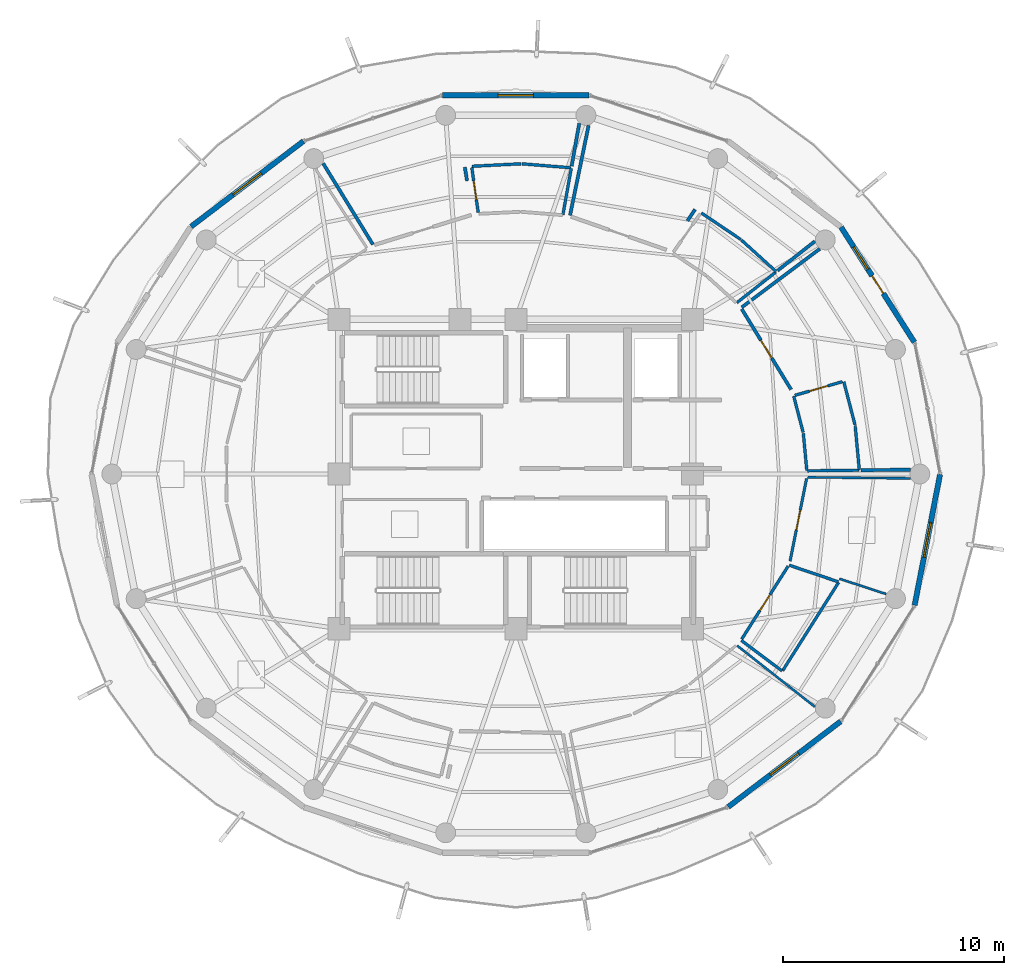
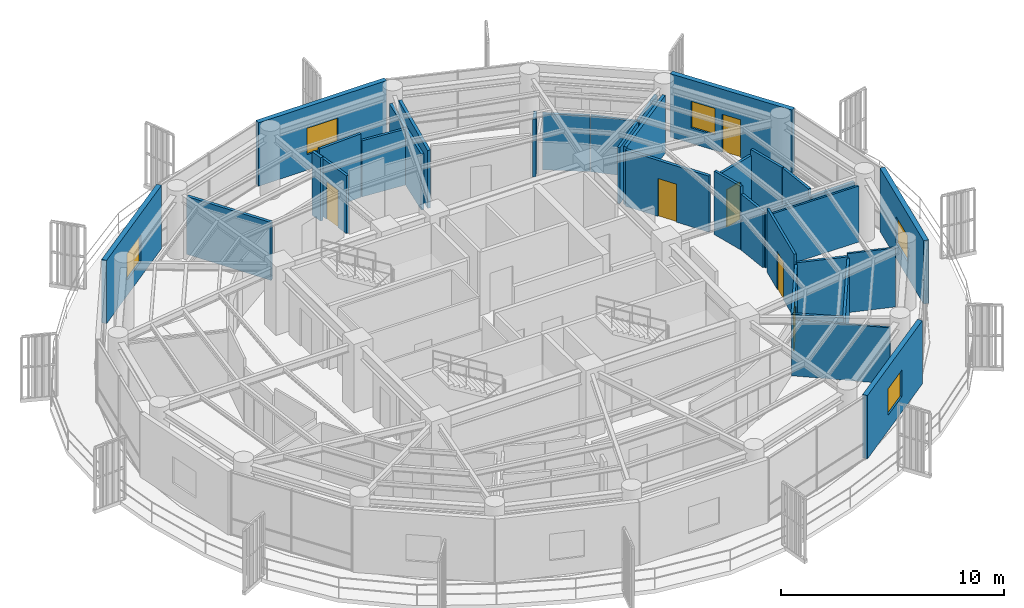
# One storey, part 18 of 23: 35 walls, 6 doors, 5 windows, 11 openings.
"""IFC4 building model written with IfcOpenShell, lengths in metres."""

from ifc_helpers import new_model, si_unit, direction, frame, frame_2d, origin, place, context, subcontext, project, spatial, rectangle, extrude, material, layer, layer_set, type_object, element, fill, save


model = new_model("IFC4")

# Units and contexts
model_context = context("Model", 3, precision=1e-05, world=origin(), true_north=direction((0.0, 1.0)))
body_context = subcontext(model_context, "Body", "Model", "MODEL_VIEW")
ifc_project = project(units=[si_unit("LENGTHUNIT", "METRE"), si_unit("AREAUNIT", "SQUARE_METRE"), si_unit("VOLUMEUNIT", "CUBIC_METRE"), si_unit("PLANEANGLEUNIT", "RADIAN"), si_unit("MASSUNIT", "GRAM", prefix="KILO")], contexts=[model_context])

# Site, building, storey
site_placement = place(None, origin())
site = spatial("IfcSite", under=ifc_project, at=site_placement, CompositionType="ELEMENT")
building_placement = place(site_placement, origin())
building = spatial("IfcBuilding", under=site, at=building_placement, Name="Kelanora Arch Commons", CompositionType="ELEMENT")
storey_placement = place(building_placement, frame((0.0, 0.0, 256.199951171875)))
storey = spatial("IfcBuildingStorey", under=building, at=storey_placement, Name="L65", CompositionType="ELEMENT", Elevation=256.199951171875)

# Wall, opening, door
ifc_material_1 = material(Name="Autoclaved aerated concrete blockwork with fire plaster", Category="masonry")
ifc_layer_1 = layer(ifc_material_1, 0.14990234375)
ifc_layer_set_1 = layer_set([ifc_layer_1], Name="Autoclaved aerated concrete blockwork with fire plaster")
wall_type_1 = type_object("IfcWallType", Name="W-COMP-150", PredefinedType="PARTITIONING", material=ifc_layer_set_1)
wall_1_placement = place(storey_placement, frame((86.45556640625, 61.82421875, 0.0), z_axis=(0.0, 0.0, 1.0), x_axis=(-0.522665227064, 0.852538011128, 0.0)))
wall_1 = element("IfcWall", 1, at=wall_1_placement, inside=storey, type_object=wall_type_1, Name="Co-Living Studio L65-01 Entry Partition", PredefinedType="PARTITIONING", context=body_context, shape_type="SweptSolid", body=[
    extrude(rectangle(XDim=4.272705078125, YDim=0.14990234375, at=frame_2d((2.13623046875, 0.0))), origin(), (0.0, 0.0, 1.0), 3.074951171875),
])
opening_1_placement = place(wall_1_placement, frame((1.660888671875, 0.0, 0.0)))
opening_1 = element("IfcOpeningElement", 2, at=opening_1_placement, cuts=wall_1, Name="Opening D-CLU1", PredefinedType="OPENING", context=body_context, shape_type="SweptSolid", body=[
    extrude(rectangle(XDim=0.949951171875, YDim=2.080078125, at=frame_2d((0.47509765625, 1.0400390625))), frame((0.0, 0.0849609375, 0.0), z_axis=(0.0, -1.0, 0.0), x_axis=(1.0, 0.0, 0.0)), (0.0, 0.0, 1.0), 0.169921875),
])
ifc_material_2 = material(Name="Solid-core acoustic timber cluster entry fire door", Category="wood")
door_type_1 = type_object("IfcDoorType", Name="D-CLU-95", OperationType="NOTDEFINED", PredefinedType="DOOR", material=ifc_material_2)
door_1_placement = place(opening_1_placement, origin())
door_1 = element("IfcDoor", 3, at=door_1_placement, inside=storey, type_object=door_type_1, Name="Co-Living Studio L65-01 Door", OperationType="SINGLE_SWING_LEFT", OverallHeight=2.080078125, OverallWidth=0.949951171875, PredefinedType="DOOR", context=body_context, shape_type="SweptSolid", body=[
    extrude(rectangle(XDim=0.949951171875, YDim=2.080078125, at=frame_2d((0.47509765625, 1.0400390625))), frame((0.0, 0.02490234375, 0.0), z_axis=(0.0, -1.0, 0.0), x_axis=(1.0, 0.0, 0.0)), (0.0, 0.0, 1.0), 0.050048828125),
])
fill(opening_1, door_1)

# Walls
wall_2_placement = place(storey_placement, frame((84.222900390625, 65.5419921875, 0.0), z_axis=(0.0, 0.0, 1.0), x_axis=(0.800384816546, 0.599486568191, 0.0)))
element("IfcWall", 4, at=wall_2_placement, inside=storey, type_object=wall_type_1, Name="Co-Living Studio L65-01 Enclosure Partition 2", PredefinedType="PARTITIONING", context=body_context, shape_type="SweptSolid", body=[
    extrude(rectangle(XDim=4.413818359375, YDim=0.14990234375, at=frame_2d((2.20703125, 0.0))), origin(), (0.0, 0.0, 1.0), 3.175048828125),
])
wall_3_placement = place(storey_placement, frame((91.847900390625, 58.197509765625, 0.0), z_axis=(0.0, 0.0, 1.0), x_axis=(-0.999936076373, -0.011306775263, 0.0)))
element("IfcWall", 5, at=wall_3_placement, inside=storey, type_object=wall_type_1, Name="Co-Living Studio L65-01 Enclosure Partition 5", PredefinedType="PARTITIONING", context=body_context, shape_type="SweptSolid", body=[
    extrude(rectangle(XDim=2.22412109375, YDim=0.14990234375, at=frame_2d((1.112060546875, 0.0))), origin(), (0.0, 0.0, 1.0), 3.074951171875),
])
wall_4_placement = place(storey_placement, frame((76.453125, 69.703125, 0.0), z_axis=(0.0, 0.0, 1.0), x_axis=(0.202308141573, 0.979321916355, 0.0)))
element("IfcWall", 6, at=wall_4_placement, inside=storey, type_object=wall_type_1, Name="Co-Living Studio L65-02 Enclosure Partition 2", PredefinedType="PARTITIONING", context=body_context, shape_type="SweptSolid", body=[
    extrude(rectangle(XDim=4.152587890625, YDim=0.14990234375, at=frame_2d((2.076171875, 0.0))), origin(), (0.0, 0.0, 1.0), 3.175048828125),
])
wall_5_placement = place(storey_placement, frame((87.5322265625, 68.53271484375, 0.0), z_axis=(0.0, 0.0, 1.0), x_axis=(-0.785832073147, -0.618439934685, 0.0)))
element("IfcWall", 7, at=wall_5_placement, inside=storey, type_object=wall_type_1, Name="Co-Living Studio L65-02 Enclosure Partition 5", PredefinedType="PARTITIONING", context=body_context, shape_type="SweptSolid", body=[
    extrude(rectangle(XDim=2.14404296875, YDim=0.14990234375, at=frame_2d((1.072021484375, 0.0))), origin(), (0.0, 0.0, 1.0), 3.074951171875),
])
wall_6_placement = place(storey_placement, frame((82.11279296875, 69.976806640625, 0.0), z_axis=(0.0, 0.0, 1.0), x_axis=(-0.555598996852, -0.831450392204, 0.0)))
element("IfcWall", 8, at=wall_6_placement, inside=storey, type_object=wall_type_1, Name="Co-Living Studio L65-02 Enclosure Partition 7", PredefinedType="PARTITIONING", context=body_context, shape_type="SweptSolid", body=[
    extrude(rectangle(XDim=0.626708984375, YDim=0.14990234375, at=frame_2d((0.3134765625, 0.0))), origin(), (0.0, 0.0, 1.0), 3.175048828125),
])
wall_7_placement = place(storey_placement, frame((67.5341796875, 68.385009765625, 0.0), z_axis=(0.0, 0.0, 1.0), x_axis=(-0.522784059663, 0.852465147066, 0.0)))
element("IfcWall", 9, at=wall_7_placement, inside=storey, type_object=wall_type_1, Name="Co-Living Studio L65-03 Enclosure Partition 2", PredefinedType="PARTITIONING", context=body_context, shape_type="SweptSolid", body=[
    extrude(rectangle(XDim=4.30615234375, YDim=0.14990234375, at=frame_2d((2.153076171875, 0.0))), origin(), (0.0, 0.0, 1.0), 3.175048828125),
])
wall_8_placement = place(storey_placement, frame((76.87109375, 73.864013671875, 0.0), z_axis=(0.0, 0.0, 1.0), x_axis=(-0.176100981623, -0.98437210661, 0.0)))
element("IfcWall", 10, at=wall_8_placement, inside=storey, type_object=wall_type_1, Name="Co-Living Studio L65-03 Enclosure Partition 5", PredefinedType="PARTITIONING", context=body_context, shape_type="SweptSolid", body=[
    extrude(rectangle(XDim=1.960205078125, YDim=0.14990234375, at=frame_2d((0.97998046875, 0.0))), origin(), (0.0, 0.0, 1.0), 3.074951171875),
])
wall_9_placement = place(storey_placement, frame((71.693603515625, 71.884521484375, 0.0), z_axis=(0.0, 0.0, 1.0), x_axis=(0.162139500997, -0.986767846161, 0.0)))
element("IfcWall", 11, at=wall_9_placement, inside=storey, type_object=wall_type_1, Name="Co-Living Studio L65-03 Enclosure Partition 7", PredefinedType="PARTITIONING", context=body_context, shape_type="SweptSolid", body=[
    extrude(rectangle(XDim=0.630859375, YDim=0.14990234375, at=frame_2d((0.3154296875, 0.0))), origin(), (0.0, 0.0, 1.0), 3.47998046875),
])

# Wall, openings, door, window
ifc_material_3 = material(Name="Precast concrete C40/50 upper-zone terracotta rainscreen", Category="masonry")
ifc_layer_2 = layer(ifc_material_3, 0.239990234375)
ifc_layer_set_2 = layer_set([ifc_layer_2], Name="Precast concrete C40/50 upper-zone terracotta rainscreen")
wall_type_2 = type_object("IfcWallType", Name="W-EXT-TC2", PredefinedType="SOLIDWALL", material=ifc_layer_set_2)
wall_10_placement = place(storey_placement, frame((92.033935546875, 63.9638671875, 0.0), z_axis=(0.0, 0.0, 1.0), x_axis=(-0.537271968456, 0.843409053728, 0.0)))
wall_10 = element("IfcWall", 12, at=wall_10_placement, inside=storey, type_object=wall_type_2, Name="Terracotta Exterior Wall L65-B01", PredefinedType="SOLIDWALL", context=body_context, shape_type="SweptSolid", body=[
    extrude(rectangle(XDim=6.175048828125, YDim=0.239990234375, at=frame_2d((3.08740234375, 0.0))), origin(), (0.0, 0.0, 1.0), 3.47509765625),
])
opening_2_placement = place(wall_10_placement, frame((2.613037109375, 0.0, 0.0)))
opening_2 = element("IfcOpeningElement", 13, at=opening_2_placement, cuts=wall_10, Name="Opening DB-01", PredefinedType="OPENING", context=body_context, shape_type="SweptSolid", body=[
    extrude(rectangle(XDim=0.949951171875, YDim=2.10009765625, at=frame_2d((0.47509765625, 1.050048828125))), frame((0.0, 0.1298828125, 0.0), z_axis=(0.0, -1.0, 0.0), x_axis=(1.0, 0.0, 0.0)), (0.0, 0.0, 1.0), 0.260009765625),
])
opening_3_placement = place(wall_10_placement, frame((3.9130859375, 0.0, 0.85009765625)))
opening_3 = element("IfcOpeningElement", 14, at=opening_3_placement, cuts=wall_10, Name="Opening WN-02", PredefinedType="OPENING", context=body_context, shape_type="SweptSolid", body=[
    extrude(rectangle(XDim=1.199951171875, YDim=1.449951171875, at=frame_2d((0.60009765625, 0.72509765625))), frame((0.0, 0.1298828125, 0.0), z_axis=(0.0, -1.0, 0.0), x_axis=(1.0, 0.0, 0.0)), (0.0, 0.0, 1.0), 0.260009765625),
])
ifc_material_4 = material(Name="Terracotta-aluminium thermally broken glazed balcony door", Category="masonry")
door_type_2 = type_object("IfcDoorType", Name="D-BAL-10", OperationType="NOTDEFINED", PredefinedType="DOOR", material=ifc_material_4)
door_2_placement = place(opening_2_placement, frame((0.949951171875, 0.0, 0.0), z_axis=(0.0, 0.0, 1.0), x_axis=(-1.0, 0.0, 0.0)))
door_2 = element("IfcDoor", 15, at=door_2_placement, inside=storey, type_object=door_type_2, Name="Wave Balcony Door L65-B01", OperationType="SINGLE_SWING_LEFT", OverallHeight=2.10009765625, OverallWidth=0.949951171875, PredefinedType="DOOR", context=body_context, shape_type="SweptSolid", body=[
    extrude(rectangle(XDim=0.949951171875, YDim=2.10009765625, at=frame_2d((0.47509765625, 1.050048828125))), frame((0.0, 0.02490234375, 0.0), z_axis=(0.0, -1.0, 0.0), x_axis=(1.0, 0.0, 0.0)), (0.0, 0.0, 1.0), 0.050048828125),
])
fill(opening_2, door_2)
ifc_material_5 = material(Name="Terracotta-anodised aluminium frame with operable awning sash", Category="masonry")
window_type_1 = type_object("IfcWindowType", Name="WIN-CL-12", PartitioningType="SINGLE_PANEL", PredefinedType="WINDOW", material=ifc_material_5)
window_1_placement = place(opening_3_placement, origin())
window_1 = element("IfcWindow", 16, at=window_1_placement, inside=storey, type_object=window_type_1, Name="Co-Living Operable Window L65-B01", OverallHeight=1.449951171875, OverallWidth=1.199951171875, PartitioningType="SINGLE_PANEL", PredefinedType="WINDOW", context=body_context, shape_type="SweptSolid", body=[
    extrude(rectangle(XDim=1.199951171875, YDim=1.449951171875, at=frame_2d((0.60009765625, 0.72509765625))), frame((0.0, 0.030029296875, 0.0), z_axis=(0.0, -1.0, 0.0), x_axis=(1.0, 0.0, 0.0)), (0.0, 0.0, 1.0), 0.06005859375),
])
fill(opening_3, window_1)

# Wall, opening, window
wall_11_placement = place(storey_placement, frame((77.319091796875, 75.1357421875, 0.0), z_axis=(0.0, 0.0, 1.0), x_axis=(-1.0, 0.0, 0.0)))
wall_11 = element("IfcWall", 17, at=wall_11_placement, inside=storey, type_object=wall_type_2, Name="Terracotta Exterior Wall L65-B04", PredefinedType="SOLIDWALL", context=body_context, shape_type="SweptSolid", body=[
    extrude(rectangle(XDim=6.63818359375, YDim=0.239990234375, at=frame_2d((3.319091796875, 0.0))), origin(), (0.0, 0.0, 1.0), 3.47509765625),
])
opening_4_placement = place(wall_11_placement, frame((2.51904296875, 0.0, 0.85009765625)))
opening_4 = element("IfcOpeningElement", 18, at=opening_4_placement, cuts=wall_11, Name="Opening WN-01", PredefinedType="OPENING", context=body_context, shape_type="SweptSolid", body=[
    extrude(rectangle(XDim=1.60009765625, YDim=1.449951171875, at=frame_2d((0.800048828125, 0.72509765625))), frame((0.0, 0.1298828125, 0.0), z_axis=(0.0, -1.0, 0.0), x_axis=(1.0, 0.0, 0.0)), (0.0, 0.0, 1.0), 0.260009765625),
])
ifc_material_6 = material(Name="Terracotta-anodised aluminium frame with operable low-E glazing", Category="masonry")
window_type_2 = type_object("IfcWindowType", Name="WIN-CL-18", PartitioningType="DOUBLE_PANEL_VERTICAL", PredefinedType="WINDOW", material=ifc_material_6)
window_2_placement = place(opening_4_placement, origin())
window_2 = element("IfcWindow", 19, at=window_2_placement, inside=storey, type_object=window_type_2, Name="Co-Living Operable Window L65-B04", OverallHeight=1.449951171875, OverallWidth=1.60009765625, PartitioningType="SINGLE_PANEL", PredefinedType="WINDOW", context=body_context, shape_type="SweptSolid", body=[
    extrude(rectangle(XDim=1.60009765625, YDim=1.449951171875, at=frame_2d((0.800048828125, 0.72509765625))), frame((0.0, 0.030029296875, 0.0), z_axis=(0.0, -1.0, 0.0), x_axis=(1.0, 0.0, 0.0)), (0.0, 0.0, 1.0), 0.06005859375),
])
fill(opening_4, window_2)

wall_12_placement = place(storey_placement, frame((64.38818359375, 73.059814453125, 0.0), z_axis=(0.0, 0.0, 1.0), x_axis=(-0.796010444211, -0.605282886514, 0.0)))
wall_12 = element("IfcWall", 20, at=wall_12_placement, inside=storey, type_object=wall_type_2, Name="Terracotta Exterior Wall L65-B06", PredefinedType="SOLIDWALL", context=body_context, shape_type="SweptSolid", body=[
    extrude(rectangle(XDim=6.387451171875, YDim=0.239990234375, at=frame_2d((3.19384765625, 0.0))), origin(), (0.0, 0.0, 1.0), 3.47509765625),
])
opening_5_placement = place(wall_12_placement, frame((2.39404296875, 0.0, 0.85009765625)))
opening_5 = element("IfcOpeningElement", 21, at=opening_5_placement, cuts=wall_12, Name="Opening WN-01", PredefinedType="OPENING", context=body_context, shape_type="SweptSolid", body=[
    extrude(rectangle(XDim=1.60009765625, YDim=1.449951171875, at=frame_2d((0.800048828125, 0.72509765625))), frame((0.0, 0.1298828125, 0.0), z_axis=(0.0, -1.0, 0.0), x_axis=(1.0, 0.0, 0.0)), (0.0, 0.0, 1.0), 0.260009765625),
])
window_3_placement = place(opening_5_placement, origin())
window_3 = element("IfcWindow", 22, at=window_3_placement, inside=storey, type_object=window_type_2, Name="Co-Living Operable Window L65-B06", OverallHeight=1.449951171875, OverallWidth=1.60009765625, PartitioningType="SINGLE_PANEL", PredefinedType="WINDOW", context=body_context, shape_type="SweptSolid", body=[
    extrude(rectangle(XDim=1.60009765625, YDim=1.449951171875, at=frame_2d((0.800048828125, 0.72509765625))), frame((0.0, 0.030029296875, 0.0), z_axis=(0.0, -1.0, 0.0), x_axis=(1.0, 0.0, 0.0)), (0.0, 0.0, 1.0), 0.06005859375),
])
fill(opening_5, window_3)

wall_13_placement = place(storey_placement, frame((83.61181640625, 42.940185546875, 0.0), z_axis=(0.0, 0.0, 1.0), x_axis=(0.796010444211, 0.605282886514, 0.0)))
wall_13 = element("IfcWall", 23, at=wall_13_placement, inside=storey, type_object=wall_type_2, Name="Terracotta Exterior Wall L65-B15", PredefinedType="SOLIDWALL", context=body_context, shape_type="SweptSolid", body=[
    extrude(rectangle(XDim=6.387451171875, YDim=0.239990234375, at=frame_2d((3.19384765625, 0.0))), origin(), (0.0, 0.0, 1.0), 3.47509765625),
])
opening_6_placement = place(wall_13_placement, frame((2.39404296875, 0.0, 0.85009765625)))
opening_6 = element("IfcOpeningElement", 24, at=opening_6_placement, cuts=wall_13, Name="Opening WN-01", PredefinedType="OPENING", context=body_context, shape_type="SweptSolid", body=[
    extrude(rectangle(XDim=1.60009765625, YDim=1.449951171875, at=frame_2d((0.800048828125, 0.72509765625))), frame((0.0, 0.1298828125, 0.0), z_axis=(0.0, -1.0, 0.0), x_axis=(1.0, 0.0, 0.0)), (0.0, 0.0, 1.0), 0.260009765625),
])
window_4_placement = place(opening_6_placement, origin())
window_4 = element("IfcWindow", 25, at=window_4_placement, inside=storey, type_object=window_type_2, Name="Co-Living Operable Window L65-B15", OverallHeight=1.449951171875, OverallWidth=1.60009765625, PartitioningType="SINGLE_PANEL", PredefinedType="WINDOW", context=body_context, shape_type="SweptSolid", body=[
    extrude(rectangle(XDim=1.60009765625, YDim=1.449951171875, at=frame_2d((0.800048828125, 0.72509765625))), frame((0.0, 0.030029296875, 0.0), z_axis=(0.0, -1.0, 0.0), x_axis=(1.0, 0.0, 0.0)), (0.0, 0.0, 1.0), 0.06005859375),
])
fill(opening_6, window_4)

wall_14_placement = place(storey_placement, frame((92.044921875, 52.0634765625, 0.0), z_axis=(0.0, 0.0, 1.0), x_axis=(0.190969309115, 0.981596008028, 0.0)))
wall_14 = element("IfcWall", 26, at=wall_14_placement, inside=storey, type_object=wall_type_2, Name="Terracotta Exterior Wall L65-B17", PredefinedType="SOLIDWALL", context=body_context, shape_type="SweptSolid", body=[
    extrude(rectangle(XDim=6.032958984375, YDim=0.239990234375, at=frame_2d((3.0166015625, 0.0))), origin(), (0.0, 0.0, 1.0), 3.47509765625),
])
opening_7_placement = place(wall_14_placement, frame((2.216064453125, 0.0, 0.85009765625)))
opening_7 = element("IfcOpeningElement", 27, at=opening_7_placement, cuts=wall_14, Name="Opening WN-01", PredefinedType="OPENING", context=body_context, shape_type="SweptSolid", body=[
    extrude(rectangle(XDim=1.60009765625, YDim=1.449951171875, at=frame_2d((0.800048828125, 0.72509765625))), frame((0.0, 0.1298828125, 0.0), z_axis=(0.0, -1.0, 0.0), x_axis=(1.0, 0.0, 0.0)), (0.0, 0.0, 1.0), 0.260009765625),
])
window_5_placement = place(opening_7_placement, origin())
window_5 = element("IfcWindow", 28, at=window_5_placement, inside=storey, type_object=window_type_2, Name="Co-Living Operable Window L65-B17", OverallHeight=1.449951171875, OverallWidth=1.60009765625, PartitioningType="SINGLE_PANEL", PredefinedType="WINDOW", context=body_context, shape_type="SweptSolid", body=[
    extrude(rectangle(XDim=1.60009765625, YDim=1.449951171875, at=frame_2d((0.800048828125, 0.72509765625))), frame((0.0, 0.030029296875, 0.0), z_axis=(0.0, -1.0, 0.0), x_axis=(1.0, 0.0, 0.0)), (0.0, 0.0, 1.0), 0.06005859375),
])
fill(opening_7, window_5)

# Walls
ifc_material_7 = material(Name="Lightweight fire-rated acoustic stud partition")
ifc_layer_3 = layer(ifc_material_7, 0.10009765625)
ifc_layer_set_3 = layer_set([ifc_layer_3], Name="Lightweight fire-rated acoustic stud partition")
wall_type_3 = type_object("IfcWallType", Name="W-PART-100", PredefinedType="PARTITIONING", material=ifc_layer_set_3)
wall_15_placement = place(storey_placement, frame((84.016357421875, 50.2353515625, 0.0), z_axis=(0.0, 0.0, 1.0), x_axis=(0.785736749878, -0.618561039745, 0.0)))
element("IfcWall", 29, at=wall_15_placement, inside=storey, type_object=wall_type_3, Name="Communal Dining and Social Hall L65-08 Enclosure Partition 4", PredefinedType="PARTITIONING", context=body_context, shape_type="SweptSolid", body=[
    extrude(rectangle(XDim=4.474609375, YDim=0.10009765625, at=frame_2d((2.2373046875, 0.0))), origin(), (0.0, 0.0, 1.0), 3.074951171875),
])
wall_16_placement = place(storey_placement, frame((87.208984375, 57.8544921875, 0.0), z_axis=(0.0, 0.0, 1.0), x_axis=(0.999937174585, -0.01120923205, 0.0)))
element("IfcWall", 30, at=wall_16_placement, inside=storey, type_object=wall_type_3, Name="Tutorial Study Alcove L65-09 Enclosure Partition 2", PredefinedType="PARTITIONING", context=body_context, shape_type="SweptSolid", body=[
    extrude(rectangle(XDim=4.63916015625, YDim=0.10009765625, at=frame_2d((2.319580078125, 0.0))), origin(), (0.0, 0.0, 1.0), 3.074951171875),
])
wall_17_placement = place(storey_placement, frame((90.751220703125, 52.572998046875, 0.0), z_axis=(0.0, 0.0, 1.0), x_axis=(-0.950301719956, 0.311330437073, 0.0)))
element("IfcWall", 31, at=wall_17_placement, inside=storey, type_object=wall_type_3, Name="Tutorial Study Alcove L65-09 Enclosure Partition 4", PredefinedType="PARTITIONING", context=body_context, shape_type="SweptSolid", body=[
    extrude(rectangle(XDim=2.21533203125, YDim=0.10009765625, at=frame_2d((1.107666015625, 0.0))), origin(), (0.0, 0.0, 1.0), 3.235107421875),
])

# Wall, opening, door
ifc_material_8 = material(Name="Acoustic twin-stud fire-rated gypsum partition")
ifc_layer_4 = layer(ifc_material_8, 0.1201171875)
ifc_layer_set_4 = layer_set([ifc_layer_4], Name="Acoustic twin-stud fire-rated gypsum partition")
wall_type_4 = type_object("IfcWallType", Name="W-PART-120", PredefinedType="PARTITIONING", material=ifc_layer_set_4)
wall_18_placement = place(storey_placement, frame((86.41064453125, 54.057861328125, 0.0), z_axis=(0.0, 0.0, 1.0), x_axis=(0.195845174173, 0.980634828952, 0.0)))
wall_18 = element("IfcWall", 32, at=wall_18_placement, inside=storey, type_object=wall_type_4, Name="Tutorial Study Alcove L65-09 Entry Partition", PredefinedType="PARTITIONING", context=body_context, shape_type="SweptSolid", body=[
    extrude(rectangle(XDim=3.81201171875, YDim=0.1201171875, at=frame_2d((1.906005859375, 0.0))), origin(), (0.0, 0.0, 1.0), 3.47998046875),
])
opening_8_placement = place(wall_18_placement, frame((1.4560546875, 0.0, 0.0)))
opening_8 = element("IfcOpeningElement", 33, at=opening_8_placement, cuts=wall_18, Name="Opening D-RM1", PredefinedType="OPENING", context=body_context, shape_type="SweptSolid", body=[
    extrude(rectangle(XDim=0.89990234375, YDim=2.080078125, at=frame_2d((0.449951171875, 1.0400390625))), frame((0.0, 0.070068359375, 0.0), z_axis=(0.0, -1.0, 0.0), x_axis=(1.0, 0.0, 0.0)), (0.0, 0.0, 1.0), 0.14013671875),
])
ifc_material_9 = material(Name="Acoustic fire-rated timber study and lounge door", Category="wood")
door_type_3 = type_object("IfcDoorType", Name="D-ROOM-90", OperationType="NOTDEFINED", PredefinedType="DOOR", material=ifc_material_9)
door_3_placement = place(opening_8_placement, origin())
door_3 = element("IfcDoor", 34, at=door_3_placement, inside=storey, type_object=door_type_3, Name="Tutorial Study Alcove L65-09 Door", OperationType="SINGLE_SWING_LEFT", OverallHeight=2.080078125, OverallWidth=0.89990234375, PredefinedType="DOOR", context=body_context, shape_type="SweptSolid", body=[
    extrude(rectangle(XDim=0.89990234375, YDim=2.080078125, at=frame_2d((0.449951171875, 1.0400390625))), frame((0.0, 0.02490234375, 0.0), z_axis=(0.0, -1.0, 0.0), x_axis=(1.0, 0.0, 0.0)), (0.0, 0.0, 1.0), 0.050048828125),
])
fill(opening_8, door_3)

ifc_material_10 = material(Name="Moisture-resistant fire-rated cement-board plumbing wall")
ifc_layer_5 = layer(ifc_material_10, 0.1298828125)
ifc_layer_set_5 = layer_set([ifc_layer_5], Name="Moisture-resistant fire-rated cement-board plumbing wall")
wall_type_5 = type_object("IfcWallType", Name="W-WET-120", PredefinedType="PLUMBINGWALL", material=ifc_layer_set_5)
wall_19_placement = place(storey_placement, frame((86.625732421875, 61.5625, 0.0), z_axis=(0.0, 0.0, 1.0), x_axis=(0.961379738838, 0.275225358117, 0.0)))
wall_19 = element("IfcWall", 35, at=wall_19_placement, inside=storey, type_object=wall_type_5, Name="En-Suite Shower WC L65-01 Entry Partition", PredefinedType="PLUMBINGWALL", context=body_context, shape_type="SweptSolid", body=[
    extrude(rectangle(XDim=2.238037109375, YDim=0.1298828125, at=frame_2d((1.119140625, 0.0))), origin(), (0.0, 0.0, 1.0), 3.175048828125),
])
opening_9_placement = place(wall_19_placement, frame((0.68896484375, 0.0, 0.0)))
opening_9 = element("IfcOpeningElement", 36, at=opening_9_placement, cuts=wall_19, Name="Opening D-BT1", PredefinedType="OPENING", context=body_context, shape_type="SweptSolid", body=[
    extrude(rectangle(XDim=0.860107421875, YDim=2.050048828125, at=frame_2d((0.43017578125, 1.02490234375))), frame((0.0, 0.074951171875, 0.0), z_axis=(0.0, -1.0, 0.0), x_axis=(1.0, 0.0, 0.0)), (0.0, 0.0, 1.0), 0.14990234375),
])
ifc_material_11 = material(Name="Moisture-sealed fire-rated accessible bathroom door")
door_type_4 = type_object("IfcDoorType", Name="D-BATH-85", OperationType="NOTDEFINED", PredefinedType="DOOR", material=ifc_material_11)
door_4_placement = place(opening_9_placement, origin())
door_4 = element("IfcDoor", 37, at=door_4_placement, inside=storey, type_object=door_type_4, Name="En-Suite Shower WC L65-01 Door", OperationType="SINGLE_SWING_RIGHT", OverallHeight=2.050048828125, OverallWidth=0.860107421875, PredefinedType="DOOR", context=body_context, shape_type="SweptSolid", body=[
    extrude(rectangle(XDim=0.860107421875, YDim=2.050048828125, at=frame_2d((0.43017578125, 1.02490234375))), frame((0.0, 0.02490234375, 0.0), z_axis=(0.0, -1.0, 0.0), x_axis=(1.0, 0.0, 0.0)), (0.0, 0.0, 1.0), 0.050048828125),
])
fill(opening_9, door_4)

wall_20_placement = place(storey_placement, frame((72.298583984375, 69.831298828125, 0.0), z_axis=(0.0, 0.0, 1.0), x_axis=(-0.14028943716, 0.990110536163, 0.0)))
wall_20 = element("IfcWall", 38, at=wall_20_placement, inside=storey, type_object=wall_type_5, Name="En-Suite Shower WC L65-03 Entry Partition", PredefinedType="PLUMBINGWALL", context=body_context, shape_type="SweptSolid", body=[
    extrude(rectangle(XDim=2.053466796875, YDim=0.1298828125, at=frame_2d((1.02685546875, 0.0))), origin(), (0.0, 0.0, 1.0), 3.175048828125),
])
opening_10_placement = place(wall_20_placement, frame((0.596923828125, 0.0, 0.0)))
opening_10 = element("IfcOpeningElement", 39, at=opening_10_placement, cuts=wall_20, Name="Opening D-BT1", PredefinedType="OPENING", context=body_context, shape_type="SweptSolid", body=[
    extrude(rectangle(XDim=0.860107421875, YDim=2.050048828125, at=frame_2d((0.43017578125, 1.02490234375))), frame((0.0, 0.074951171875, 0.0), z_axis=(0.0, -1.0, 0.0), x_axis=(1.0, 0.0, 0.0)), (0.0, 0.0, 1.0), 0.14990234375),
])
door_5_placement = place(opening_10_placement, origin())
door_5 = element("IfcDoor", 40, at=door_5_placement, inside=storey, type_object=door_type_4, Name="En-Suite Shower WC L65-03 Door", OperationType="SINGLE_SWING_RIGHT", OverallHeight=2.050048828125, OverallWidth=0.860107421875, PredefinedType="DOOR", context=body_context, shape_type="SweptSolid", body=[
    extrude(rectangle(XDim=0.860107421875, YDim=2.050048828125, at=frame_2d((0.43017578125, 1.02490234375))), frame((0.0, 0.02490234375, 0.0), z_axis=(0.0, -1.0, 0.0), x_axis=(1.0, 0.0, 0.0)), (0.0, 0.0, 1.0), 0.050048828125),
])
fill(opening_10, door_5)

wall_21_placement = place(storey_placement, frame((84.22314453125, 50.53271484375, 0.0), z_axis=(0.0, 0.0, 1.0), x_axis=(0.536434868975, 0.84394172272, 0.0)))
wall_21 = element("IfcWall", 41, at=wall_21_placement, inside=storey, type_object=wall_type_5, Name="Accessible Shared Floor WC L65-09 Entry Partition", PredefinedType="PLUMBINGWALL", context=body_context, shape_type="SweptSolid", body=[
    extrude(rectangle(XDim=3.908447265625, YDim=0.1298828125, at=frame_2d((1.9541015625, 0.0))), origin(), (0.0, 0.0, 1.0), 3.074951171875),
])
opening_11_placement = place(wall_21_placement, frame((1.52392578125, 0.0, 0.0)))
opening_11 = element("IfcOpeningElement", 42, at=opening_11_placement, cuts=wall_21, Name="Opening D-BT1", PredefinedType="OPENING", context=body_context, shape_type="SweptSolid", body=[
    extrude(rectangle(XDim=0.860107421875, YDim=2.050048828125, at=frame_2d((0.43017578125, 1.02490234375))), frame((0.0, 0.074951171875, 0.0), z_axis=(0.0, -1.0, 0.0), x_axis=(1.0, 0.0, 0.0)), (0.0, 0.0, 1.0), 0.14990234375),
])
door_6_placement = place(opening_11_placement, origin())
door_6 = element("IfcDoor", 43, at=door_6_placement, inside=storey, type_object=door_type_4, Name="Accessible Shared Floor WC L65-09 Door", OperationType="SINGLE_SWING_RIGHT", OverallHeight=2.050048828125, OverallWidth=0.860107421875, PredefinedType="DOOR", context=body_context, shape_type="SweptSolid", body=[
    extrude(rectangle(XDim=0.860107421875, YDim=2.050048828125, at=frame_2d((0.43017578125, 1.02490234375))), frame((0.0, 0.02490234375, 0.0), z_axis=(0.0, -1.0, 0.0), x_axis=(1.0, 0.0, 0.0)), (0.0, 0.0, 1.0), 0.050048828125),
])
fill(opening_11, door_6)

# Walls
wall_22_placement = place(storey_placement, frame((87.1669921875, 58.164794921875, 0.0), z_axis=(0.0, 0.0, 1.0), x_axis=(-0.094303984979, 0.995543448784, 0.0)))
element("IfcWall", 44, at=wall_22_placement, inside=storey, type_object=wall_type_5, Name="En-Suite Shower WC L65-01 Enclosure Partition 1", PredefinedType="PLUMBINGWALL", context=body_context, shape_type="SweptSolid", body=[
    extrude(rectangle(XDim=1.68798828125, YDim=0.1298828125, at=frame_2d((0.843994140625, 0.0))), origin(), (0.0, 0.0, 1.0), 3.074951171875),
])
wall_23_placement = place(storey_placement, frame((87.0009765625, 59.884521484375, 0.0), z_axis=(0.0, 0.0, 1.0), x_axis=(-0.252205193656, 0.967673777826, 0.0)))
element("IfcWall", 45, at=wall_23_placement, inside=storey, type_object=wall_type_5, Name="En-Suite Shower WC L65-01 Enclosure Partition 2", PredefinedType="PLUMBINGWALL", context=body_context, shape_type="SweptSolid", body=[
    extrude(rectangle(XDim=1.697021484375, YDim=0.1298828125, at=frame_2d((0.8486328125, 0.0))), origin(), (0.0, 0.0, 1.0), 3.47998046875),
])
wall_24_placement = place(storey_placement, frame((88.840087890625, 62.175537109375, 0.0), z_axis=(0.0, 0.0, 1.0), x_axis=(0.251652018774, -0.967817783184, 0.0)))
element("IfcWall", 46, at=wall_24_placement, inside=storey, type_object=wall_type_5, Name="En-Suite Shower WC L65-01 Enclosure Partition 4", PredefinedType="PLUMBINGWALL", context=body_context, shape_type="SweptSolid", body=[
    extrude(rectangle(XDim=2.013916015625, YDim=0.1298828125, at=frame_2d((1.0068359375, 0.0))), origin(), (0.0, 0.0, 1.0), 3.47998046875),
])
wall_25_placement = place(storey_placement, frame((89.35400390625, 60.18701171875, 0.0), z_axis=(0.0, 0.0, 1.0), x_axis=(0.09380867442, -0.995590243325, 0.0)))
element("IfcWall", 47, at=wall_25_placement, inside=storey, type_object=wall_type_5, Name="En-Suite Shower WC L65-01 Enclosure Partition 5", PredefinedType="PLUMBINGWALL", context=body_context, shape_type="SweptSolid", body=[
    extrude(rectangle(XDim=2.00390625, YDim=0.1298828125, at=frame_2d((1.001953125, 0.0))), origin(), (0.0, 0.0, 1.0), 3.47998046875),
])
wall_26_placement = place(storey_placement, frame((89.52392578125, 58.171875, 0.0), z_axis=(0.0, 0.0, 1.0), x_axis=(-0.999935061604, -0.011396164964, 0.0)))
element("IfcWall", 48, at=wall_26_placement, inside=storey, type_object=wall_type_5, Name="En-Suite Shower WC L65-01 Enclosure Partition 6", PredefinedType="PLUMBINGWALL", context=body_context, shape_type="SweptSolid", body=[
    extrude(rectangle(XDim=2.335205078125, YDim=0.1298828125, at=frame_2d((1.16748046875, 0.0))), origin(), (0.0, 0.0, 1.0), 3.074951171875),
])
wall_27_placement = place(storey_placement, frame((82.3955078125, 69.814697265625, 0.0), z_axis=(0.0, 0.0, 1.0), x_axis=(0.828761584291, -0.559601855254, 0.0)))
element("IfcWall", 49, at=wall_27_placement, inside=storey, type_object=wall_type_5, Name="En-Suite Shower WC L65-02 Enclosure Partition 4", PredefinedType="PLUMBINGWALL", context=body_context, shape_type="SweptSolid", body=[
    extrude(rectangle(XDim=2.145263671875, YDim=0.1298828125, at=frame_2d((1.07275390625, 0.0))), origin(), (0.0, 0.0, 1.0), 3.074951171875),
])
wall_28_placement = place(storey_placement, frame((84.204833984375, 68.589599609375, 0.0), z_axis=(0.0, 0.0, 1.0), x_axis=(0.740404918602, -0.672161109043, 0.0)))
element("IfcWall", 50, at=wall_28_placement, inside=storey, type_object=wall_type_5, Name="En-Suite Shower WC L65-02 Enclosure Partition 5", PredefinedType="PLUMBINGWALL", context=body_context, shape_type="SweptSolid", body=[
    extrude(rectangle(XDim=2.1142578125, YDim=0.1298828125, at=frame_2d((1.05712890625, 0.0))), origin(), (0.0, 0.0, 1.0), 3.074951171875),
])
wall_29_placement = place(storey_placement, frame((85.769287109375, 67.142578125, 0.0), z_axis=(0.0, 0.0, 1.0), x_axis=(-0.786197810061, -0.617974921381, 0.0)))
element("IfcWall", 51, at=wall_29_placement, inside=storey, type_object=wall_type_5, Name="En-Suite Shower WC L65-02 Enclosure Partition 6", PredefinedType="PLUMBINGWALL", context=body_context, shape_type="SweptSolid", body=[
    extrude(rectangle(XDim=2.24951171875, YDim=0.1298828125, at=frame_2d((1.124755859375, 0.0))), origin(), (0.0, 0.0, 1.0), 3.074951171875),
])
wall_30_placement = place(storey_placement, frame((72.02197265625, 71.925048828125, 0.0), z_axis=(0.0, 0.0, 1.0), x_axis=(0.998726159472, 0.050458481805, 0.0)))
element("IfcWall", 52, at=wall_30_placement, inside=storey, type_object=wall_type_5, Name="En-Suite Shower WC L65-03 Enclosure Partition 4", PredefinedType="PLUMBINGWALL", context=body_context, shape_type="SweptSolid", body=[
    extrude(rectangle(XDim=2.220947265625, YDim=0.1298828125, at=frame_2d((1.1103515625, 0.0))), origin(), (0.0, 0.0, 1.0), 3.47998046875),
])
wall_31_placement = place(storey_placement, frame((74.27978515625, 72.036376953125, 0.0), z_axis=(0.0, 0.0, 1.0), x_axis=(0.996718024019, -0.080951717687, 0.0)))
element("IfcWall", 53, at=wall_31_placement, inside=storey, type_object=wall_type_5, Name="En-Suite Shower WC L65-03 Enclosure Partition 5", PredefinedType="PLUMBINGWALL", context=body_context, shape_type="SweptSolid", body=[
    extrude(rectangle(XDim=2.2197265625, YDim=0.1298828125, at=frame_2d((1.10986328125, 0.0))), origin(), (0.0, 0.0, 1.0), 3.074951171875),
])
wall_32_placement = place(storey_placement, frame((76.508544921875, 71.835205078125, 0.0), z_axis=(0.0, 0.0, 1.0), x_axis=(-0.176550443794, -0.984291593379, 0.0)))
element("IfcWall", 54, at=wall_32_placement, inside=storey, type_object=wall_type_5, Name="En-Suite Shower WC L65-03 Enclosure Partition 6", PredefinedType="PLUMBINGWALL", context=body_context, shape_type="SweptSolid", body=[
    extrude(rectangle(XDim=2.135009765625, YDim=0.1298828125, at=frame_2d((1.0673828125, 0.0))), origin(), (0.0, 0.0, 1.0), 3.074951171875),
])
wall_33_placement = place(storey_placement, frame((86.370849609375, 53.87548828125, 0.0), z_axis=(0.0, 0.0, 1.0), x_axis=(0.947177643747, -0.320709387431, 0.0)))
element("IfcWall", 55, at=wall_33_placement, inside=storey, type_object=wall_type_5, Name="Accessible Shared Floor WC L65-09 Enclosure Partition 2", PredefinedType="PLUMBINGWALL", context=body_context, shape_type="SweptSolid", body=[
    extrude(rectangle(XDim=2.3515625, YDim=0.1298828125, at=frame_2d((1.17578125, 0.0))), origin(), (0.0, 0.0, 1.0), 3.175048828125),
])
wall_34_placement = place(storey_placement, frame((88.606201171875, 53.09814453125, 0.0), z_axis=(0.0, 0.0, 1.0), x_axis=(-0.535433501212, -0.844577388864, 0.0)))
element("IfcWall", 56, at=wall_34_placement, inside=storey, type_object=wall_type_5, Name="Accessible Shared Floor WC L65-09 Enclosure Partition 3", PredefinedType="PLUMBINGWALL", context=body_context, shape_type="SweptSolid", body=[
    extrude(rectangle(XDim=4.735107421875, YDim=0.1298828125, at=frame_2d((2.36767578125, 0.0))), origin(), (0.0, 0.0, 1.0), 3.074951171875),
])
wall_35_placement = place(storey_placement, frame((86.0439453125, 49.093994140625, 0.0), z_axis=(0.0, 0.0, 1.0), x_axis=(-0.800357274386, 0.599523338442, 0.0)))
element("IfcWall", 57, at=wall_35_placement, inside=storey, type_object=wall_type_5, Name="Accessible Shared Floor WC L65-09 Enclosure Partition 4", PredefinedType="PLUMBINGWALL", context=body_context, shape_type="SweptSolid", body=[
    extrude(rectangle(XDim=2.295166015625, YDim=0.1298828125, at=frame_2d((1.1474609375, 0.0))), origin(), (0.0, 0.0, 1.0), 3.175048828125),
])

save(model, "model.ifc")
